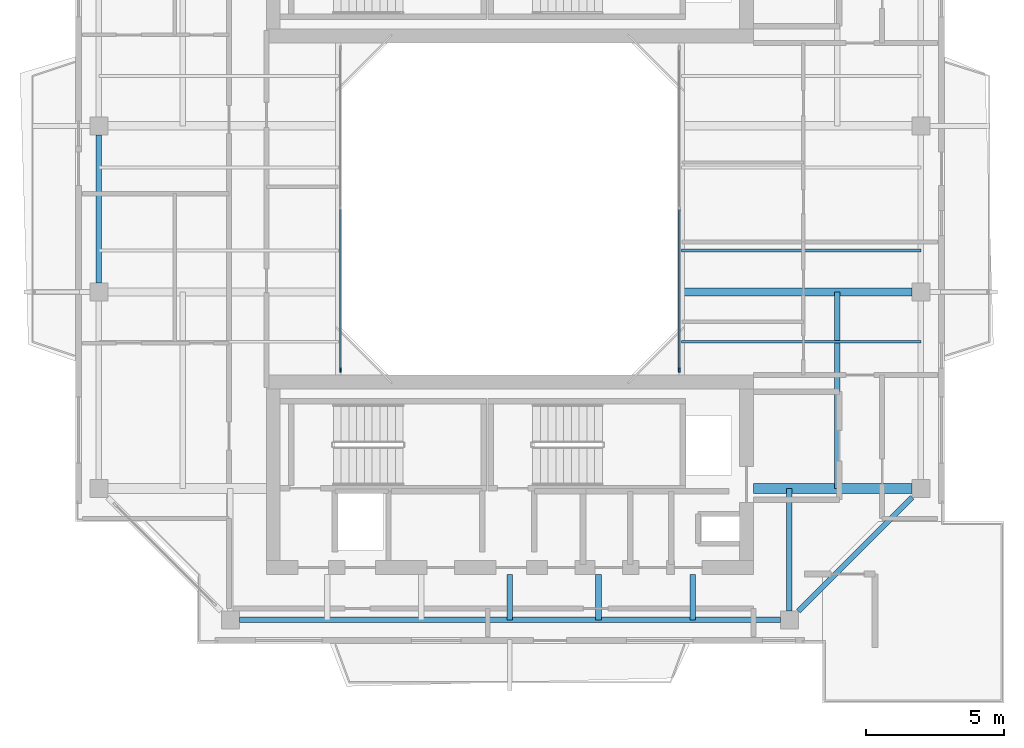
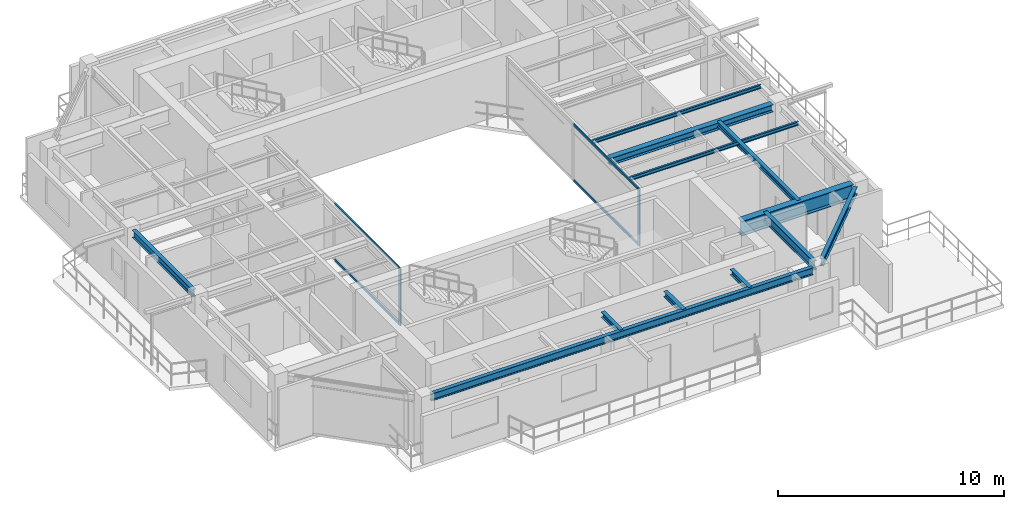
# One storey, part 4 of 14: 12 beams, 6 members, 2 elements without a shape of their own.
"""IFC4 building model written with IfcOpenShell, lengths in metres."""

import ifcopenshell
import ifcopenshell.guid

model = None  # the IFC model being written
_history = None  # IfcOwnerHistory: only IFC2X3 demands one
_inside = {}  # id of a spatial element -> (the spatial element, [elements in it])
_under = {}  # id of a project, library or spatial element -> (it, [spatial elements below it])
_declared = {}  # id of a project -> (the project, [libraries it declares])
_typed = {}  # id of a type object -> (the type object, [elements of that type])
_made_of = {}  # id of a material, layer set ... -> (it, [elements and type objects made of it])


def new_model(schema):
    """Start an empty IFC model of exactly this schema.

    Asked for "IFC4X3", IfcOpenShell would pick the latest addendum, in which some entities
    have other attributes; the version numbers below select the first issue.
    IFC2X3 requires an IfcOwnerHistory on every rooted entity: one is made here for all.
    """
    global model, _history
    if schema == "IFC4X3":
        model = ifcopenshell.file(schema_version=(4, 3, 0, 0))
    else:
        model = ifcopenshell.file(schema=schema)
    _inside.clear()
    _under.clear()
    _declared.clear()
    _typed.clear()
    _made_of.clear()
    _history = None
    if model.schema == "IFC2X3":
        org = make("IfcOrganization", Name="unknown")
        user = make(
            "IfcPersonAndOrganization",
            ThePerson=make("IfcPerson", FamilyName="unknown"),
            TheOrganization=org,
        )
        app = make(
            "IfcApplication",
            ApplicationDeveloper=org,
            Version="unknown",
            ApplicationFullName="unknown",
            ApplicationIdentifier="unknown",
        )
        _history = make(
            "IfcOwnerHistory",
            OwningUser=user,
            OwningApplication=app,
            ChangeAction="ADDED",
            CreationDate=0,
        )
    return model


def make(cls, **values):
    """One entity of the class cls with the attributes given. An attribute that is None is left unset."""
    return model.create_entity(
        cls, **{name: value for name, value in values.items() if value is not None}
    )


def rooted(cls, **values):
    """An entity with a GlobalId (a new one), such as an element, a storey or a relation."""
    return make(cls, GlobalId=ifcopenshell.guid.new(), OwnerHistory=_history, **values)


def si_unit(unit_type, name, prefix=None):
    """IfcSIUnit, for example si_unit("LENGTHUNIT", "METRE", prefix="MILLI")."""
    return make("IfcSIUnit", UnitType=unit_type, Prefix=prefix, Name=name)


def assignment(units):
    """IfcUnitAssignment: the units of a project."""
    return None if units is None else make("IfcUnitAssignment", Units=units)


def point(xyz):
    """IfcCartesianPoint."""
    return None if xyz is None else make("IfcCartesianPoint", Coordinates=xyz)


def direction(xyz):
    """IfcDirection."""
    return None if xyz is None else make("IfcDirection", DirectionRatios=xyz)


def frame(location, z_axis=None, x_axis=None):
    """IfcAxis2Placement3D, a coordinate frame: its origin and axes. An axis left out is left unset."""
    return make(
        "IfcAxis2Placement3D",
        Location=point(location),
        Axis=direction(z_axis),
        RefDirection=direction(x_axis),
    )


def frame_2d(location, x_axis=None):
    """IfcAxis2Placement2D, a coordinate frame in the plane: its origin and x axis."""
    return make(
        "IfcAxis2Placement2D", Location=point(location), RefDirection=direction(x_axis)
    )


def origin():
    """The frame at (0, 0, 0) with its axes left unset."""
    return frame((0.0, 0.0, 0.0))


def origin_2d():
    """The frame at (0, 0) in the plane with its x axis left unset."""
    return frame_2d((0.0, 0.0))


def place(relative_to, where):
    """IfcLocalPlacement: puts the frame where relative to a parent placement (None: the world)."""
    return make(
        "IfcLocalPlacement", PlacementRelTo=relative_to, RelativePlacement=where
    )


def context(
    kind, dimensions, precision=None, world=None, true_north=None, identifier=None
):
    """IfcGeometricRepresentationContext, for example the 3D "Model" context."""
    return make(
        "IfcGeometricRepresentationContext",
        ContextIdentifier=identifier,
        ContextType=kind,
        CoordinateSpaceDimension=dimensions,
        Precision=precision,
        WorldCoordinateSystem=world,
        TrueNorth=true_north,
    )


def subcontext(parent, identifier, kind, view, scale=None):
    """IfcGeometricRepresentationSubContext, for example "Body" below "Model"."""
    return make(
        "IfcGeometricRepresentationSubContext",
        ContextIdentifier=identifier,
        ContextType=kind,
        ParentContext=parent,
        TargetScale=scale,
        TargetView=view,
    )


def project(units=None, contexts=None):
    """IfcProject with its units and contexts."""
    return rooted(
        "IfcProject",
        Name="project",
        RepresentationContexts=contexts,
        UnitsInContext=assignment(units),
    )


def spatial(cls, under=None, at=None, **own):
    """A site, building, storey or space (cls), placed at a placement, below another one or the project."""
    s = rooted(cls, ObjectPlacement=at, **own)
    if under is not None:
        _under.setdefault(under.id(), (under, []))[1].append(s)
    return s


def profile(cls, at=None, kind="AREA", **sizes):
    """A parametric profile (cls). Its sizes go by their IFC names, for example OverallWidth=200.0."""
    return make(cls, ProfileType=kind, Position=at, **sizes)


def rectangle(**sizes):
    """IfcRectangleProfileDef."""
    return profile("IfcRectangleProfileDef", **sizes)


def i_section(**sizes):
    """IfcIShapeProfileDef."""
    return profile("IfcIShapeProfileDef", **sizes)


def extrude(swept, where, along, depth):
    """IfcExtrudedAreaSolid: the profile swept, set in the frame where, extruded along a direction by depth."""
    return make(
        "IfcExtrudedAreaSolid",
        SweptArea=swept,
        Position=where,
        ExtrudedDirection=direction(along),
        Depth=depth,
    )


def shape(context_of_items, identifier, shape_type, items):
    """IfcShapeRepresentation: the items that make up one representation, for example the "Body"."""
    return make(
        "IfcShapeRepresentation",
        ContextOfItems=context_of_items,
        RepresentationIdentifier=identifier,
        RepresentationType=shape_type,
        Items=items,
    )


def source(mapping_origin, context_of_items, identifier, shape_type, items):
    """IfcRepresentationMap: a shape defined once, which mapped items show again and again."""
    return make(
        "IfcRepresentationMap",
        MappingOrigin=mapping_origin,
        MappedRepresentation=shape(context_of_items, identifier, shape_type, items),
    )


def transform(
    local_origin,
    x_axis=None,
    y_axis=None,
    z_axis=None,
    scale=None,
    scale2=None,
    scale3=None,
    uniform=True,
):
    """IfcCartesianTransformationOperator3D, or its non-uniform kind. x_axis, y_axis, z_axis: its Axis1, 2, 3."""
    if uniform:
        return make(
            "IfcCartesianTransformationOperator3D",
            Axis1=direction(x_axis),
            Axis2=direction(y_axis),
            LocalOrigin=point(local_origin),
            Scale=scale,
            Axis3=direction(z_axis),
        )
    return make(
        "IfcCartesianTransformationOperator3DnonUniform",
        Axis1=direction(x_axis),
        Axis2=direction(y_axis),
        LocalOrigin=point(local_origin),
        Scale=scale,
        Axis3=direction(z_axis),
        Scale2=scale2,
        Scale3=scale3,
    )


def mapped(mapping_source, mapping_target):
    """IfcMappedItem: shows the shape of a source again, moved by a transform."""
    return make(
        "IfcMappedItem", MappingSource=mapping_source, MappingTarget=mapping_target
    )


def material(Name=None, Category=None):
    """IfcMaterial."""
    return make("IfcMaterial", Name=Name, Category=Category)


def layer(
    of_material, thickness, ventilated=None, Name=None, Category=None, Priority=None
):
    """IfcMaterialLayer: one layer of a wall or slab, of a material (None: an air gap)."""
    return make(
        "IfcMaterialLayer",
        Material=of_material,
        LayerThickness=thickness,
        IsVentilated=ventilated,
        Name=Name,
        Category=Category,
        Priority=Priority,
    )


def layer_set(layers, Name=None):
    """IfcMaterialLayerSet."""
    return make("IfcMaterialLayerSet", MaterialLayers=layers, LayerSetName=Name)


def material_profile(
    of_material, cross_section, Name=None, Category=None, Priority=None
):
    """IfcMaterialProfile: a cross section and its material."""
    return make(
        "IfcMaterialProfile",
        Name=Name,
        Material=of_material,
        Profile=cross_section,
        Priority=Priority,
        Category=Category,
    )


def profile_set(profiles, Name=None, composite=None):
    """IfcMaterialProfileSet."""
    return make(
        "IfcMaterialProfileSet",
        Name=Name,
        MaterialProfiles=profiles,
        CompositeProfile=composite,
    )


def made_of(thing, what):
    """Note that an element or type object is made of a material, layer set ...; save() writes the relation."""
    if what is not None:
        _made_of.setdefault(what.id(), (what, []))[1].append(thing)
    return thing


def type_object(cls, material=None, **own):
    """A type object (cls), such as IfcWallType, which elements share."""
    return made_of(rooted(cls, **own), material)


def element(
    cls,
    number,
    at=None,
    inside=None,
    cuts=None,
    type_object=None,
    material=None,
    context=None,
    identifier="Body",
    shape_type=None,
    held_by="IfcProductDefinitionShape",
    body=None,
    shapes=None,
    **own,
):
    """One element of the class cls, such as IfcWall. Its Tag is "e" and its number.

    at: its placement. inside: the storey or other place that contains it. cuts: it is an
    opening in that element (IfcRelVoidsElement). A single representation is given by context,
    identifier, shape_type and body (its items); several are given by shapes. held_by: the class
    of the entity that holds the representations. save() writes the other relations.
    """
    e = rooted(cls, Tag="e%d" % number, ObjectPlacement=at, **own)
    if body is not None:
        shapes = [shape(context, identifier, shape_type, body)]
    if shapes is not None:
        e.Representation = make(held_by, Representations=shapes)
    if inside is not None:
        _inside.setdefault(inside.id(), (inside, []))[1].append(e)
    if cuts is not None:
        rooted(
            "IfcRelVoidsElement", RelatingBuildingElement=cuts, RelatedOpeningElement=e
        )
    if type_object is not None:
        _typed.setdefault(type_object.id(), (type_object, []))[1].append(e)
    return made_of(e, material)


def aggregate(whole, parts):
    """IfcRelAggregates: a whole, such as a stair, and the parts it consists of."""
    return rooted("IfcRelAggregates", RelatingObject=whole, RelatedObjects=parts)


def save(model, path):
    """Write the relations noted so far, then the file.

    IfcRelAggregates (storeys below a building ...), IfcRelContainedInSpatialStructure (elements
    in a storey), IfcRelDefinesByType, IfcRelAssociatesMaterial and IfcRelDeclares: one each for
    every whole, place, type object, material and project.
    """
    for whole, parts in _under.values():
        aggregate(whole, parts)
    for where, things in _inside.values():
        rooted(
            "IfcRelContainedInSpatialStructure",
            RelatedElements=things,
            RelatingStructure=where,
        )
    for kind, things in _typed.values():
        rooted("IfcRelDefinesByType", RelatedObjects=things, RelatingType=kind)
    for what, things in _made_of.values():
        rooted("IfcRelAssociatesMaterial", RelatedObjects=things, RelatingMaterial=what)
    for by, libraries in _declared.values():
        rooted("IfcRelDeclares", RelatingContext=by, RelatedDefinitions=libraries)
    model.write(path)


model = new_model("IFC4")

# Units and contexts
model_context = context("Model", 3, precision=1e-05, world=origin(), true_north=direction((0.0, 1.0)))
body_context = subcontext(model_context, "Body", "Model", "MODEL_VIEW")
ifc_project = project(units=[si_unit("LENGTHUNIT", "METRE"), si_unit("AREAUNIT", "SQUARE_METRE"), si_unit("VOLUMEUNIT", "CUBIC_METRE"), si_unit("PLANEANGLEUNIT", "RADIAN"), si_unit("MASSUNIT", "GRAM", prefix="KILO"), si_unit("THERMODYNAMICTEMPERATUREUNIT", "KELVIN"), si_unit("POWERUNIT", "WATT")], contexts=[model_context])

# Site, building, storey
site_placement = place(None, origin())
site = spatial("IfcSite", under=ifc_project, at=site_placement, CompositionType="ELEMENT")
building_placement = place(site_placement, origin())
building = spatial("IfcBuilding", under=site, at=building_placement, Name="Qiaomeng Ring Towers", CompositionType="ELEMENT")
storey_placement = place(building_placement, frame((0.0, 0.0, 253.5)))
storey = spatial("IfcBuildingStorey", under=building, at=storey_placement, Name="L74", CompositionType="ELEMENT", Elevation=253.5)

# Beams
ifc_material_1 = material(Name="Steel Q355B", Category="steel")
ifc_material_profile_1 = material_profile(ifc_material_1, i_section(OverallWidth=0.198974609375, OverallDepth=0.39599609375, WebThickness=0.007080078125, FlangeThickness=0.010986328125, FilletRadius=0.01611328125, at=origin_2d()), Name="HN 396x199x7x11")
ifc_profile_set_1 = profile_set([ifc_material_profile_1], Name="Steel Q355B")
beam_type_1 = type_object("IfcBeamType", Name="STR-BM-HN396", PredefinedType="SPANDREL", material=ifc_profile_set_1)
shared_shape_1 = source(origin(), body_context, "Body", "SweptSolid", [
    extrude(i_section(OverallWidth=0.198974609375, OverallDepth=0.39599609375, WebThickness=0.007080078125, FlangeThickness=0.010986328125, FilletRadius=0.01611328125, at=origin_2d()), origin(), (0.0, 0.0, 1.0), 19.5517578125),
])
beam_1_placement = place(storey_placement, frame((9.22412109375, 8.14990234375, 2.8720703125), z_axis=(1.0, 0.0, 0.0), x_axis=(0.0, 1.0, 0.0)))
element("IfcBeam", 1, at=beam_1_placement, inside=storey, type_object=beam_type_1, Name="L74 beam STR-SP-L74-T1-S1-S2", PredefinedType="SPANDREL", context=body_context, shape_type="MappedRepresentation", body=[
    mapped(shared_shape_1, transform((0.0, 0.0, 0.0), x_axis=(1.0, 0.0, 0.0), y_axis=(0.0, 1.0, 0.0), z_axis=(0.0, 0.0, 1.0), scale=1.0)),
])
shared_shape_2 = source(origin(), body_context, "Body", "SweptSolid", [
    extrude(i_section(OverallWidth=0.198974609375, OverallDepth=0.39599609375, WebThickness=0.007080078125, FlangeThickness=0.010986328125, FilletRadius=0.01611328125, at=origin_2d()), origin(), (0.0, 0.0, 1.0), 5.800048828125),
])
beam_2_placement = place(storey_placement, frame((29.42431640625, 8.474365234375, 2.8720703125), z_axis=(0.707106781187, 0.707106781187, 0.0), x_axis=(-0.707106781187, 0.707106781187, 0.0)))
element("IfcBeam", 2, at=beam_2_placement, inside=storey, type_object=beam_type_1, Name="L74 beam STR-SP-L74-T1-S2-E1", PredefinedType="SPANDREL", context=body_context, shape_type="MappedRepresentation", body=[
    mapped(shared_shape_2, transform((0.0, 0.0, 0.0), x_axis=(1.0, 0.0, 0.0), y_axis=(0.0, 1.0, 0.0), z_axis=(0.0, 0.0, 1.0), scale=1.0)),
])
shared_shape_3 = source(origin(), body_context, "Body", "SweptSolid", [
    extrude(i_section(OverallWidth=0.198974609375, OverallDepth=0.39599609375, WebThickness=0.007080078125, FlangeThickness=0.010986328125, FilletRadius=0.01611328125, at=origin_2d()), origin(), (0.0, 0.0, 1.0), 5.35205078125),
])
beam_3_placement = place(storey_placement, frame((4.14990234375, 25.676025390625, 2.8720703125), z_axis=(0.0, -1.0, 0.0), x_axis=(1.0, 0.0, 0.0)))
element("IfcBeam", 3, at=beam_3_placement, inside=storey, type_object=beam_type_1, Name="L74 beam STR-SP-L74-T1-W3-W2", PredefinedType="SPANDREL", context=body_context, shape_type="MappedRepresentation", body=[
    mapped(shared_shape_3, transform((0.0, 0.0, 0.0), x_axis=(1.0, 0.0, 0.0), y_axis=(0.0, 1.0, 0.0), z_axis=(0.0, 0.0, 1.0), scale=1.0)),
])
ifc_material_2 = material(Name="Steel Q390GJC", Category="steel")
ifc_material_profile_2 = material_profile(ifc_material_2, i_section(OverallWidth=0.35009765625, OverallDepth=0.800048828125, WebThickness=0.01611328125, FlangeThickness=0.028076171875, at=origin_2d()), Name="WH 800x350x16x28")
ifc_profile_set_2 = profile_set([ifc_material_profile_2], Name="Steel Q390GJC")
beam_type_2 = type_object("IfcBeamType", Name="STR-BM-WH800", PredefinedType="BEAM", material=ifc_profile_set_2)
shared_shape_4 = source(origin(), body_context, "Body", "SweptSolid", [
    extrude(i_section(OverallWidth=0.35009765625, OverallDepth=0.800048828125, WebThickness=0.01611328125, FlangeThickness=0.028076171875, at=origin_2d()), origin(), (0.0, 0.0, 1.0), 5.725830078125),
])
beam_4_placement = place(storey_placement, frame((27.800048828125, 12.89990234375, 2.669921875), z_axis=(1.0, 0.0, 0.0), x_axis=(0.0, 1.0, 0.0)))
element("IfcBeam", 4, at=beam_4_placement, inside=storey, type_object=beam_type_2, Name="L74 beam STR-BM-L74-T1-RAD-E1", PredefinedType="BEAM", context=body_context, shape_type="MappedRepresentation", body=[
    mapped(shared_shape_4, transform((0.0, 0.0, 0.0), x_axis=(1.0, 0.0, 0.0), y_axis=(0.0, 1.0, 0.0), z_axis=(0.0, 0.0, 1.0), scale=1.0)),
])
ifc_material_profile_3 = material_profile(ifc_material_1, i_section(OverallWidth=0.198974609375, OverallDepth=0.49609375, WebThickness=0.009033203125, FlangeThickness=0.013916015625, FilletRadius=0.01806640625, at=origin_2d()), Name="HN 496x199x9x14")
ifc_profile_set_3 = profile_set([ifc_material_profile_3], Name="Steel Q355B")
beam_type_3 = type_object("IfcBeamType", Name="STR-BM-HN496", PredefinedType="BEAM", material=ifc_profile_set_3)
shared_shape_5 = source(origin(), body_context, "Body", "SweptSolid", [
    extrude(i_section(OverallWidth=0.198974609375, OverallDepth=0.49609375, WebThickness=0.009033203125, FlangeThickness=0.013916015625, FilletRadius=0.01806640625, at=origin_2d()), origin(), (0.0, 0.0, 1.0), 4.42578125),
])
beam_5_placement = place(storey_placement, frame((29.10009765625, 8.47412109375, 2.822021484375), z_axis=(0.0, 1.0, 0.0), x_axis=(-1.0, 0.0, 0.0)))
element("IfcBeam", 5, at=beam_5_placement, inside=storey, type_object=beam_type_3, Name="L74 beam STR-BM-L74-T1-RAD-S2", PredefinedType="BEAM", context=body_context, shape_type="MappedRepresentation", body=[
    mapped(shared_shape_5, transform((0.0, 0.0, 0.0), x_axis=(1.0, 0.0, 0.0), y_axis=(0.0, 1.0, 0.0), z_axis=(0.0, 0.0, 1.0), scale=1.0)),
])
ifc_material_profile_4 = material_profile(ifc_material_1, i_section(OverallWidth=0.300048828125, OverallDepth=0.389892578125, WebThickness=0.010009765625, FlangeThickness=0.01611328125, FilletRadius=0.02197265625, at=origin_2d()), Name="HM 390x300x10x16")
ifc_profile_set_4 = profile_set([ifc_material_profile_4], Name="Steel Q355B")
beam_type_4 = type_object("IfcBeamType", Name="STR-BM-HM390", PredefinedType="BEAM", material=ifc_profile_set_4)
shared_shape_6 = source(origin(), body_context, "Body", "SweptSolid", [
    extrude(i_section(OverallWidth=0.300048828125, OverallDepth=0.389892578125, WebThickness=0.010009765625, FlangeThickness=0.01611328125, FilletRadius=0.02197265625, at=origin_2d()), origin(), (0.0, 0.0, 1.0), 8.325927734375),
])
beam_6_placement = place(storey_placement, frame((25.199951171875, 20.0, 2.875), z_axis=(1.0, 0.0, 0.0), x_axis=(0.0, 1.0, 0.0)))
element("IfcBeam", 6, at=beam_6_placement, inside=storey, type_object=beam_type_4, Name="L74 beam STR-BM-L74-T1-RAD-E2", PredefinedType="BEAM", context=body_context, shape_type="MappedRepresentation", body=[
    mapped(shared_shape_6, transform((0.0, 0.0, 0.0), x_axis=(1.0, 0.0, 0.0), y_axis=(0.0, 1.0, 0.0), z_axis=(0.0, 0.0, 1.0), scale=1.0)),
])
ifc_material_profile_5 = material_profile(ifc_material_1, i_section(OverallWidth=0.199951171875, OverallDepth=0.2939453125, WebThickness=0.008056640625, FlangeThickness=0.011962890625, FilletRadius=0.01806640625, at=origin_2d()), Name="HM 294x200x8x12")
ifc_profile_set_5 = profile_set([ifc_material_profile_5], Name="Steel Q355B")
beam_type_5 = type_object("IfcBeamType", Name="STR-BM-HM294", PredefinedType="JOIST", material=ifc_profile_set_5)
shared_shape_7 = source(origin(), body_context, "Body", "SweptSolid", [
    extrude(i_section(OverallWidth=0.199951171875, OverallDepth=0.2939453125, WebThickness=0.008056640625, FlangeThickness=0.011962890625, FilletRadius=0.01806640625, at=origin_2d()), origin(), (0.0, 0.0, 1.0), 1.650146484375),
])
for number, where, z_axis, x_axis, name in (
    (7, (19.0, 8.14990234375, 2.923095703125), (0.0, 1.0, 0.0), (-1.0, 0.0, 0.0), "L74 beam STR-JST-L74-T1S-3"),
    (8, (22.199951171875, 8.14990234375, 2.923095703125), (0.0, 1.0, 0.0), (-1.0, 0.0, 0.0), "L74 beam STR-JST-L74-T1S-4"),
    (9, (25.60009765625, 8.14990234375, 2.923095703125), (0.0, 1.0, 0.0), (-1.0, 0.0, 0.0), "L74 beam STR-JST-L74-T1S-5"),
):
    element("IfcBeam", number, at=place(storey_placement, frame(where, z_axis=z_axis, x_axis=x_axis)), inside=storey, type_object=beam_type_5, Name=name, PredefinedType="JOIST", context=body_context, shape_type="MappedRepresentation", body=[
        mapped(shared_shape_7, transform((0.0, 0.0, 0.0), x_axis=(1.0, 0.0, 0.0), y_axis=(0.0, 1.0, 0.0), z_axis=(0.0, 0.0, 1.0), scale=1.0)),
    ])
ifc_material_profile_6 = material_profile(ifc_material_1, i_section(OverallWidth=0.10009765625, OverallDepth=0.199951171875, WebThickness=0.005615234375, FlangeThickness=0.008056640625, FilletRadius=0.010986328125, at=origin_2d()), Name="HN 200x100x5.5x8")
ifc_profile_set_6 = profile_set([ifc_material_profile_6], Name="Steel Q355B")
beam_type_6 = type_object("IfcBeamType", Name="STR-BM-HN200", PredefinedType="JOIST", material=ifc_profile_set_6)
shared_shape_8 = source(origin(), body_context, "Body", "SweptSolid", [
    extrude(i_section(OverallWidth=0.10009765625, OverallDepth=0.199951171875, WebThickness=0.005615234375, FlangeThickness=0.008056640625, FilletRadius=0.010986328125, at=origin_2d()), origin(), (0.0, 0.0, 1.0), 8.650146484375),
])
for number, where, z_axis, x_axis, name in (
    (10, (25.199951171875, 18.199951171875, 2.969970703125), (1.0, 0.0, 0.0), (0.0, 1.0, 0.0), "L74 beam STR-JST-L74-T1E-1"),
    (11, (25.199951171875, 21.5, 2.969970703125), (1.0, 0.0, 0.0), (0.0, 1.0, 0.0), "L74 beam STR-JST-L74-T1E-2"),
):
    element("IfcBeam", number, at=place(storey_placement, frame(where, z_axis=z_axis, x_axis=x_axis)), inside=storey, type_object=beam_type_6, Name=name, PredefinedType="JOIST", context=body_context, shape_type="MappedRepresentation", body=[
        mapped(shared_shape_8, transform((0.0, 0.0, 0.0), x_axis=(1.0, 0.0, 0.0), y_axis=(0.0, 1.0, 0.0), z_axis=(0.0, 0.0, 1.0), scale=1.0)),
    ])
shared_shape_9 = source(origin(), body_context, "Body", "SweptSolid", [
    extrude(i_section(OverallWidth=0.199951171875, OverallDepth=0.2939453125, WebThickness=0.008056640625, FlangeThickness=0.011962890625, FilletRadius=0.01806640625, at=origin_2d()), origin(), (0.0, 0.0, 1.0), 7.10009765625),
])
beam_7_placement = place(storey_placement, frame((30.824951171875, 12.89990234375, 2.923095703125), z_axis=(0.0, 1.0, 0.0), x_axis=(-1.0, 0.0, 0.0)))
element("IfcBeam", 12, at=beam_7_placement, inside=storey, type_object=beam_type_5, Name="L74 beam STR-JST-L74-T1C-ES", PredefinedType="JOIST", context=body_context, shape_type="MappedRepresentation", body=[
    mapped(shared_shape_9, transform((0.0, 0.0, 0.0), x_axis=(1.0, 0.0, 0.0), y_axis=(0.0, 1.0, 0.0), z_axis=(0.0, 0.0, 1.0), scale=1.0)),
])

# Curtain wall, member
ifc_material_3 = material(Name="Fluorocarbon dark-grey aluminium", Category="aluminium")
ifc_layer = layer(ifc_material_3, 0.139892578125, Name="Fluorocarbon dark-grey aluminium")
ifc_layer_set = layer_set([ifc_layer], Name="Fluorocarbon dark-grey aluminium")
curtain_wall_type = type_object("IfcCurtainWallType", Name="ARC-CW-4", PredefinedType="NOTDEFINED", material=ifc_layer_set)
curtain_wall_1_placement = place(storey_placement, origin())
curtain_wall_1 = element("IfcCurtainWall", 13, at=curtain_wall_1_placement, inside=storey, type_object=curtain_wall_type, Name="L74 Curtain Wall CW4", PredefinedType="NOTDEFINED")
ifc_material_profile_7 = material_profile(ifc_material_3, rectangle(XDim=0.06494140625, YDim=0.159912109375, at=origin_2d()), Name="ALU MULL 65x160")
ifc_profile_set_7 = profile_set([ifc_material_profile_7], Name="Fluorocarbon dark-grey aluminium")
member_type_1 = type_object("IfcMemberType", Name="ARC-CWM-140", PredefinedType="MULLION", material=ifc_profile_set_7)
shared_shape_10 = source(origin(), body_context, "Body", "SweptSolid", [
    extrude(rectangle(XDim=0.06494140625, YDim=0.159912109375, at=origin_2d()), origin(), (0.0, 0.0, 1.0), 3.070068359375),
])
member_1_placement = place(storey_placement, frame((12.8798828125, 17.1826171875, 0.0), z_axis=(0.0, 0.0, 1.0), x_axis=(-1.0, 0.0, 0.0)))
member_1 = element("IfcMember", 14, at=member_1_placement, type_object=member_type_1, Name="CW4 mullion 1", PredefinedType="MULLION", context=body_context, shape_type="MappedRepresentation", body=[
    mapped(shared_shape_10, transform((0.0, 0.0, 0.0), x_axis=(1.0, 0.0, 0.0), y_axis=(0.0, 1.0, 0.0), z_axis=(0.0, 0.0, 1.0), scale=1.0)),
])

curtain_wall_2_placement = place(storey_placement, origin())
curtain_wall_2 = element("IfcCurtainWall", 15, at=curtain_wall_2_placement, inside=storey, type_object=curtain_wall_type, Name="L74 Curtain Wall CW4", PredefinedType="NOTDEFINED")
member_2_placement = place(storey_placement, frame((25.1201171875, 17.1826171875, 0.0), z_axis=(0.0, 0.0, 1.0), x_axis=(-1.0, 0.0, 0.0)))
member_2 = element("IfcMember", 16, at=member_2_placement, type_object=member_type_1, Name="CW4 mullion 1", PredefinedType="MULLION", context=body_context, shape_type="MappedRepresentation", body=[
    mapped(shared_shape_10, transform((0.0, 0.0, 0.0), x_axis=(1.0, 0.0, 0.0), y_axis=(0.0, 1.0, 0.0), z_axis=(0.0, 0.0, 1.0), scale=1.0)),
])

# Member
ifc_material_profile_8 = material_profile(ifc_material_3, rectangle(XDim=0.06494140625, YDim=0.1298828125, at=origin_2d()), Name="ALU TRAN 65x130")
ifc_profile_set_8 = profile_set([ifc_material_profile_8], Name="Fluorocarbon dark-grey aluminium")
member_type_2 = type_object("IfcMemberType", Name="ARC-CWT-120", PredefinedType="USERDEFINED", material=ifc_profile_set_8)
shared_shape_11 = source(origin(), body_context, "Body", "SweptSolid", [
    extrude(rectangle(XDim=0.06494140625, YDim=0.1298828125, at=origin_2d()), origin(), (0.0, 0.0, 1.0), 5.75244140625),
])
member_3_placement = place(storey_placement, frame((12.8798828125, 17.215087890625, 0.032470703125), z_axis=(0.0, 1.0, 0.0), x_axis=(-1.0, 0.0, 0.0)))
member_3 = element("IfcMember", 17, at=member_3_placement, type_object=member_type_2, Name="CW4 transom 1.1", ObjectType="TRANSOM", PredefinedType="USERDEFINED", context=body_context, shape_type="MappedRepresentation", body=[
    mapped(shared_shape_11, transform((0.0, 0.0, 0.0), x_axis=(1.0, 0.0, 0.0), y_axis=(0.0, 1.0, 0.0), z_axis=(0.0, 0.0, 1.0), scale=1.0)),
])

member_4_placement = place(storey_placement, frame((12.8798828125, 17.215087890625, 3.03759765625), z_axis=(0.0, 1.0, 0.0), x_axis=(-1.0, 0.0, 0.0)))
member_4 = element("IfcMember", 18, at=member_4_placement, type_object=member_type_2, Name="CW4 transom 1.2", ObjectType="TRANSOM", PredefinedType="USERDEFINED", context=body_context, shape_type="MappedRepresentation", body=[
    mapped(shared_shape_11, transform((0.0, 0.0, 0.0), x_axis=(1.0, 0.0, 0.0), y_axis=(0.0, 1.0, 0.0), z_axis=(0.0, 0.0, 1.0), scale=1.0)),
])

aggregate(curtain_wall_1, [member_1, member_3, member_4])

member_5_placement = place(storey_placement, frame((25.1201171875, 17.215087890625, 0.032470703125), z_axis=(0.0, 1.0, 0.0), x_axis=(-1.0, 0.0, 0.0)))
member_5 = element("IfcMember", 19, at=member_5_placement, type_object=member_type_2, Name="CW4 transom 1.1", ObjectType="TRANSOM", PredefinedType="USERDEFINED", context=body_context, shape_type="MappedRepresentation", body=[
    mapped(shared_shape_11, transform((0.0, 0.0, 0.0), x_axis=(1.0, 0.0, 0.0), y_axis=(0.0, 1.0, 0.0), z_axis=(0.0, 0.0, 1.0), scale=1.0)),
])

member_6_placement = place(storey_placement, frame((25.1201171875, 17.215087890625, 3.03759765625), z_axis=(0.0, 1.0, 0.0), x_axis=(-1.0, 0.0, 0.0)))
member_6 = element("IfcMember", 20, at=member_6_placement, type_object=member_type_2, Name="CW4 transom 1.2", ObjectType="TRANSOM", PredefinedType="USERDEFINED", context=body_context, shape_type="MappedRepresentation", body=[
    mapped(shared_shape_11, transform((0.0, 0.0, 0.0), x_axis=(1.0, 0.0, 0.0), y_axis=(0.0, 1.0, 0.0), z_axis=(0.0, 0.0, 1.0), scale=1.0)),
])

aggregate(curtain_wall_2, [member_2, member_5, member_6])

save(model, "model.ifc")
